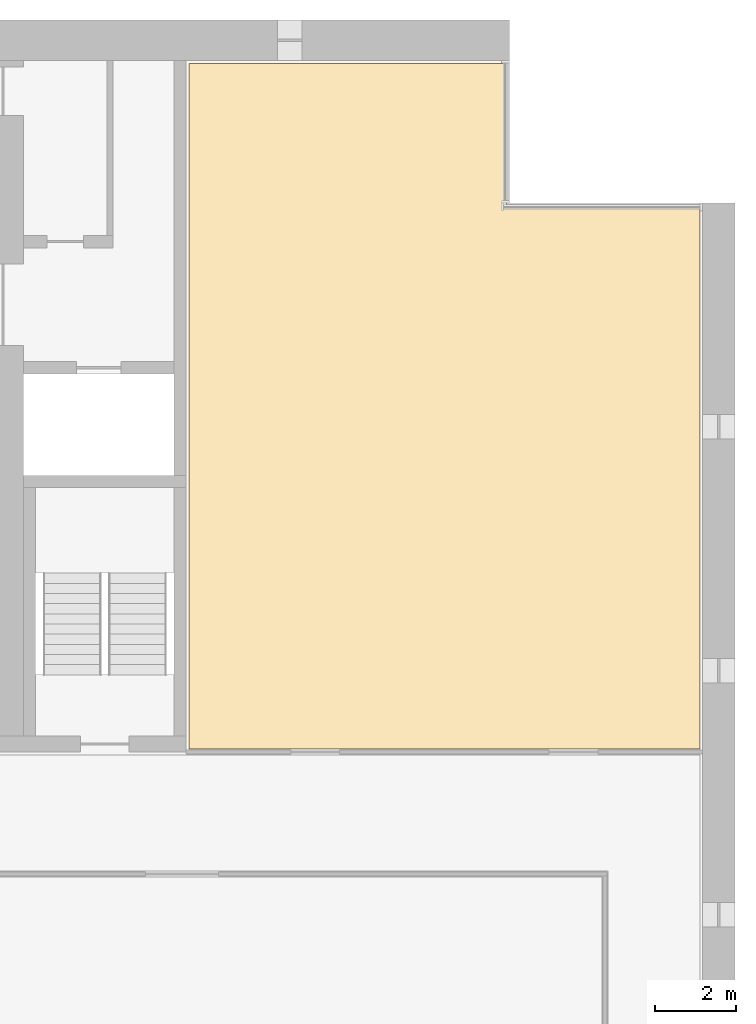
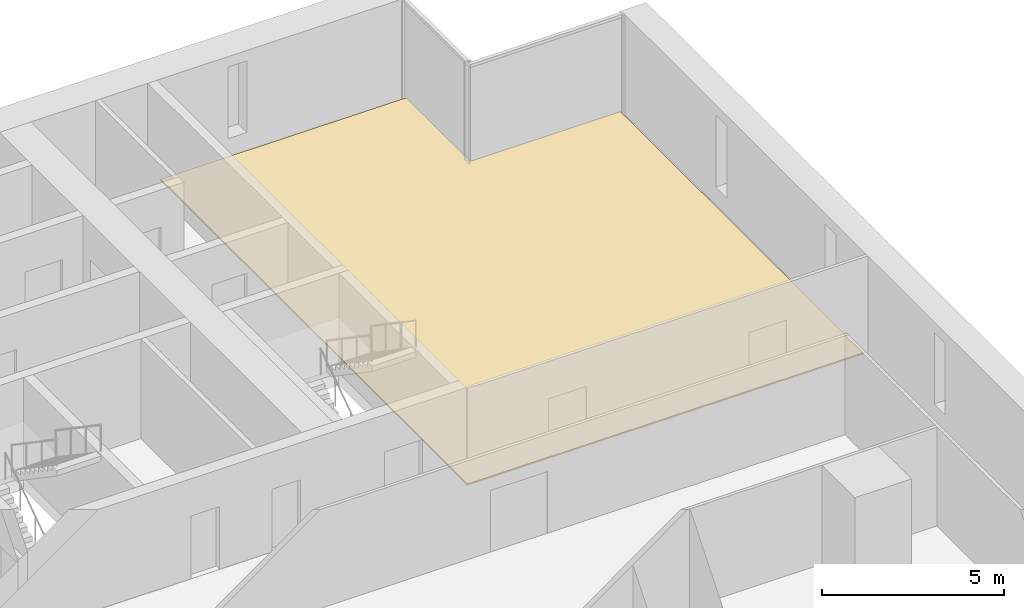
# One storey, part 18 of 18: 1 covering.
"""IFC4 building model written with IfcOpenShell, lengths in metres."""

from ifc_helpers import new_model, si_unit, direction, frame, origin, place, context, subcontext, project, spatial, polyline, outline, extrude, material, layer, layer_set, type_object, element, save


model = new_model("IFC4")

# Units and contexts
model_context = context("Model", 3, precision=1e-05, world=origin(), true_north=direction((0.0, 1.0)))
body_context = subcontext(model_context, "Body", "Model", "MODEL_VIEW")
ifc_project = project(units=[si_unit("LENGTHUNIT", "METRE"), si_unit("AREAUNIT", "SQUARE_METRE"), si_unit("VOLUMEUNIT", "CUBIC_METRE"), si_unit("PLANEANGLEUNIT", "RADIAN"), si_unit("MASSUNIT", "GRAM", prefix="KILO")], contexts=[model_context])

# Site, building, storey
site_placement = place(None, origin())
site = spatial("IfcSite", under=ifc_project, at=site_placement, CompositionType="ELEMENT")
building_placement = place(site_placement, origin())
building = spatial("IfcBuilding", under=site, at=building_placement, Name="Calvaro Tower", CompositionType="ELEMENT")
storey_placement = place(building_placement, frame((0.0, 0.0, 33.75)))
storey = spatial("IfcBuildingStorey", under=building, at=storey_placement, Name="L07", CompositionType="ELEMENT", Elevation=33.75)

# Covering
ifc_material = material(Name="Cement screed with carpet tile finish")
ifc_layer = layer(ifc_material, 0.050048828125)
ifc_layer_set = layer_set([ifc_layer], Name="Cement screed with carpet tile finish")
covering_type = type_object("IfcCoveringType", Name="Floor finish 50", PredefinedType="FLOORING", material=ifc_layer_set)
covering_placement = place(storey_placement, origin())
element("IfcCovering", 1, at=covering_placement, inside=storey, type_object=covering_type, Name="Floor finish 08.16", PredefinedType="FLOORING", context=body_context, shape_type="SweptSolid", body=[
    extrude(outline(polyline([(77.1298828125, 28.070068359375), (64.570068359375, 28.070068359375), (64.570068359375, 44.929931640625), (72.3798828125, 44.929931640625), (72.3798828125, 41.429931640625), (77.1298828125, 41.429931640625), (77.1298828125, 28.070068359375)])), origin(), (0.0, 0.0, 1.0), 0.050048828125),
])

save(model, "model.ifc")
